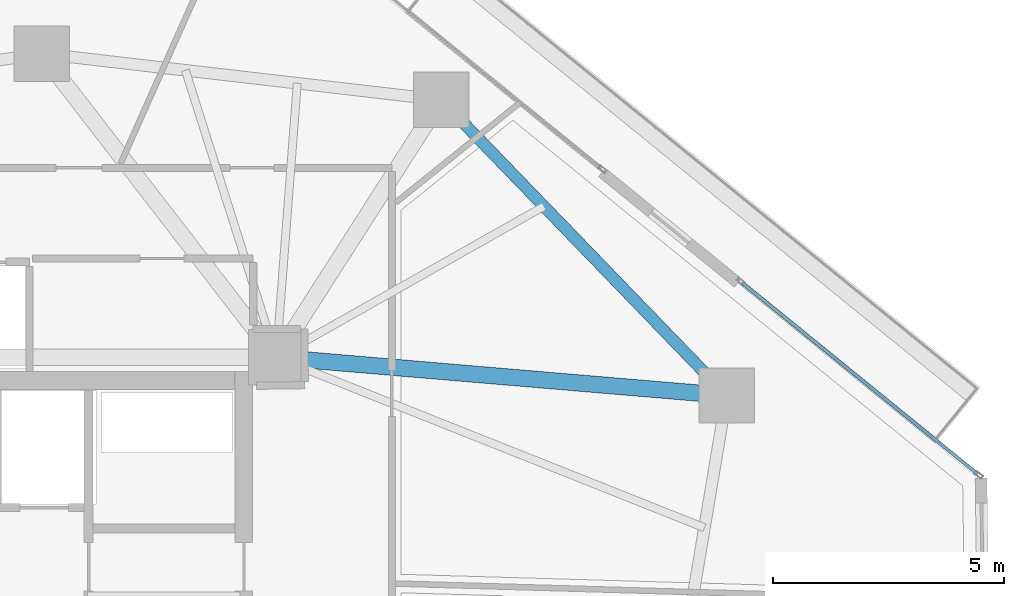
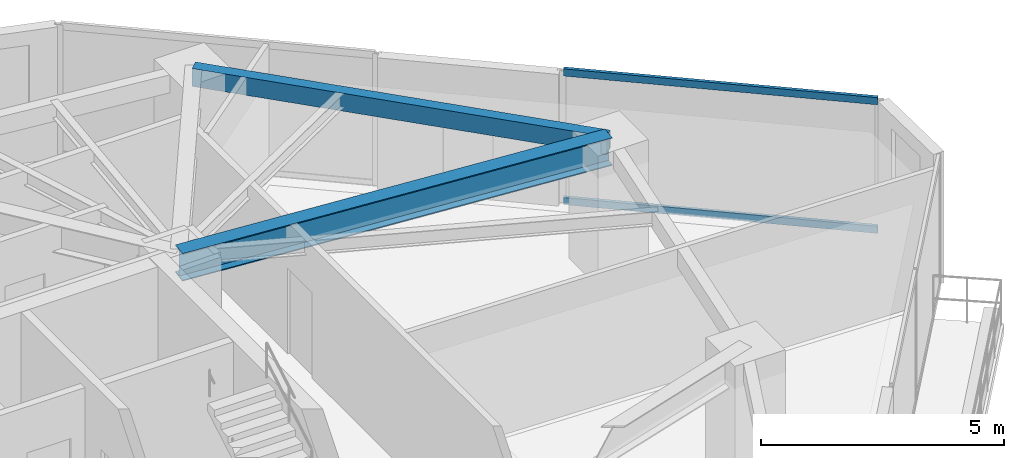
# One storey, part 13 of 23: 2 beams, 2 members, 1 element without a shape of its own.
"""IFC4 building model written with IfcOpenShell, lengths in metres."""

from ifc_helpers import new_model, si_unit, direction, frame, origin, origin_2d, place, context, subcontext, project, spatial, hollow_rectangle, i_section, extrude, source, transform, mapped, material, layer, layer_set, material_profile, profile_set, type_object, type_shapes, element, aggregate, save


model = new_model("IFC4")

# Units and contexts
model_context = context("Model", 3, precision=1e-05, world=origin(), true_north=direction((0.0, 1.0)))
body_context = subcontext(model_context, "Body", "Model", "MODEL_VIEW")
ifc_project = project(units=[si_unit("LENGTHUNIT", "METRE"), si_unit("AREAUNIT", "SQUARE_METRE"), si_unit("VOLUMEUNIT", "CUBIC_METRE"), si_unit("PLANEANGLEUNIT", "RADIAN"), si_unit("MASSUNIT", "GRAM", prefix="KILO")], contexts=[model_context])

# Site, building, storey
site_placement = place(None, origin())
site = spatial("IfcSite", under=ifc_project, at=site_placement, CompositionType="ELEMENT")
building_placement = place(site_placement, origin())
building = spatial("IfcBuilding", under=site, at=building_placement, Name="Talar Marvaseh", CompositionType="ELEMENT")
storey_placement = place(building_placement, frame((0.0, 0.0, 118.199951171875)))
storey = spatial("IfcBuildingStorey", under=building, at=storey_placement, Name="L30", CompositionType="ELEMENT", Elevation=118.199951171875)

# Beams
ifc_material_1 = material(Name="Steel S355", Category="steel")
ifc_material_profile_1 = material_profile(ifc_material_1, hollow_rectangle(XDim=0.25, YDim=0.449951171875, WallThickness=0.01611328125, at=origin_2d()), Name="RHS450x250x16")
ifc_profile_set_1 = profile_set([ifc_material_profile_1], Name="Steel S355")
beam_type_1 = type_object("IfcBeamType", Name="Zone 2 Perimeter Spandrel Beam RHS450x250x16", PredefinedType="SPANDREL", material=ifc_profile_set_1)
beam_1_placement = place(storey_placement, frame((36.865966796875, 42.470947265625, 3.0849609375), z_axis=(0.694796856243, -0.719206040405, 0.0), x_axis=(0.719206040405, 0.694796856243, 0.0)))
element("IfcBeam", 1, at=beam_1_placement, inside=storey, type_object=beam_type_1, Name="L30 Zone 2 Perimeter Spandrel Beam RHS450x250x16", PredefinedType="SPANDREL", context=body_context, shape_type="SweptSolid", body=[
    extrude(hollow_rectangle(XDim=0.25, YDim=0.449951171875, WallThickness=0.01611328125, at=origin_2d()), origin(), (0.0, 0.0, 1.0), 8.891845703125),
])
ifc_material_profile_2 = material_profile(ifc_material_1, i_section(OverallWidth=0.35498046875, OverallDepth=0.695068359375, WebThickness=0.015380859375, FlangeThickness=0.02490234375, at=origin_2d()), Name="W690x217")
ifc_profile_set_2 = profile_set([ifc_material_profile_2], Name="Steel S355")
beam_type_2 = type_object("IfcBeamType", Name="Zone 2 Radial Floor Girder W690x217", PredefinedType="BEAM", material=ifc_profile_set_2)
beam_2_placement = place(storey_placement, frame((43.0439453125, 36.075927734375, 2.962646484375), z_axis=(-0.996443598923, 0.084262412527, 0.0), x_axis=(-0.084262412527, -0.996443598923, 0.0)))
element("IfcBeam", 2, at=beam_2_placement, inside=storey, type_object=beam_type_2, Name="L30 Zone 2 Radial Floor Girder W690x217", PredefinedType="BEAM", context=body_context, shape_type="SweptSolid", body=[
    extrude(i_section(OverallWidth=0.35498046875, OverallDepth=0.695068359375, WebThickness=0.015380859375, FlangeThickness=0.02490234375, at=origin_2d()), origin(), (0.0, 0.0, 1.0), 9.778564453125),
])

# Curtain wall, members
ifc_material_2 = material(Name="Architectural Aluminium", Category="aluminium")
ifc_layer = layer(ifc_material_2, 0.199951171875)
ifc_layer_set = layer_set([ifc_layer], Name="Architectural Aluminium")
curtain_wall_type = type_object("IfcCurtainWallType", Name="Unitised Acoustic Library Curtain Wall Z2", PredefinedType="NOTDEFINED", material=ifc_layer_set)
curtain_wall_placement = place(storey_placement, origin())
curtain_wall = element("IfcCurtainWall", 3, at=curtain_wall_placement, inside=storey, type_object=curtain_wall_type, Name="L30 Unitised Acoustic Library Curtain Wall Z2", PredefinedType="NOTDEFINED")
ifc_material_profile_3 = material_profile(ifc_material_2, hollow_rectangle(XDim=0.074951171875, YDim=0.179931640625, WallThickness=0.0048828125, at=origin_2d()), Name="RHS180x75x5")
ifc_profile_set_3 = profile_set([ifc_material_profile_3], Name="Architectural Aluminium")
member_type = type_object("IfcMemberType", Name="Unitised Curtain Wall Transom RHS180x75x5", PredefinedType="USERDEFINED", material=ifc_profile_set_3)
shared_shape = source(origin(), body_context, "Body", "SweptSolid", [
    extrude(hollow_rectangle(XDim=0.074951171875, YDim=0.179931640625, WallThickness=0.0048828125, at=origin_2d()), origin(), (0.0, 0.0, 1.0), 6.5546875),
])
type_shapes(member_type, [shared_shape])
member_1_placement = place(storey_placement, frame((43.379638671875, 38.513427734375, 0.03759765625), z_axis=(0.776096910446, -0.630613657953, 0.0), x_axis=(0.630613657953, 0.776096910446, 0.0)))
member_1 = element("IfcMember", 4, at=member_1_placement, type_object=member_type, Name="CW-Z2 transom 1.1", ObjectType="TRANSOM", PredefinedType="USERDEFINED", context=body_context, shape_type="MappedRepresentation", body=[
    mapped(shared_shape, transform((0.0, 0.0, 0.0), x_axis=(1.0, 0.0, 0.0), y_axis=(0.0, 1.0, 0.0), z_axis=(0.0, 0.0, 1.0), scale=1.0)),
])
member_2_placement = place(storey_placement, frame((43.379638671875, 38.513427734375, 3.2724609375), z_axis=(0.776096910446, -0.630613657953, 0.0), x_axis=(0.630613657953, 0.776096910446, 0.0)))
member_2 = element("IfcMember", 5, at=member_2_placement, type_object=member_type, Name="CW-Z2 transom 1.2", ObjectType="TRANSOM", PredefinedType="USERDEFINED", context=body_context, shape_type="MappedRepresentation", body=[
    mapped(shared_shape, transform((0.0, 0.0, 0.0), x_axis=(1.0, 0.0, 0.0), y_axis=(0.0, 1.0, 0.0), z_axis=(0.0, 0.0, 1.0), scale=1.0)),
])
aggregate(curtain_wall, [member_1, member_2])

save(model, "model.ifc")
